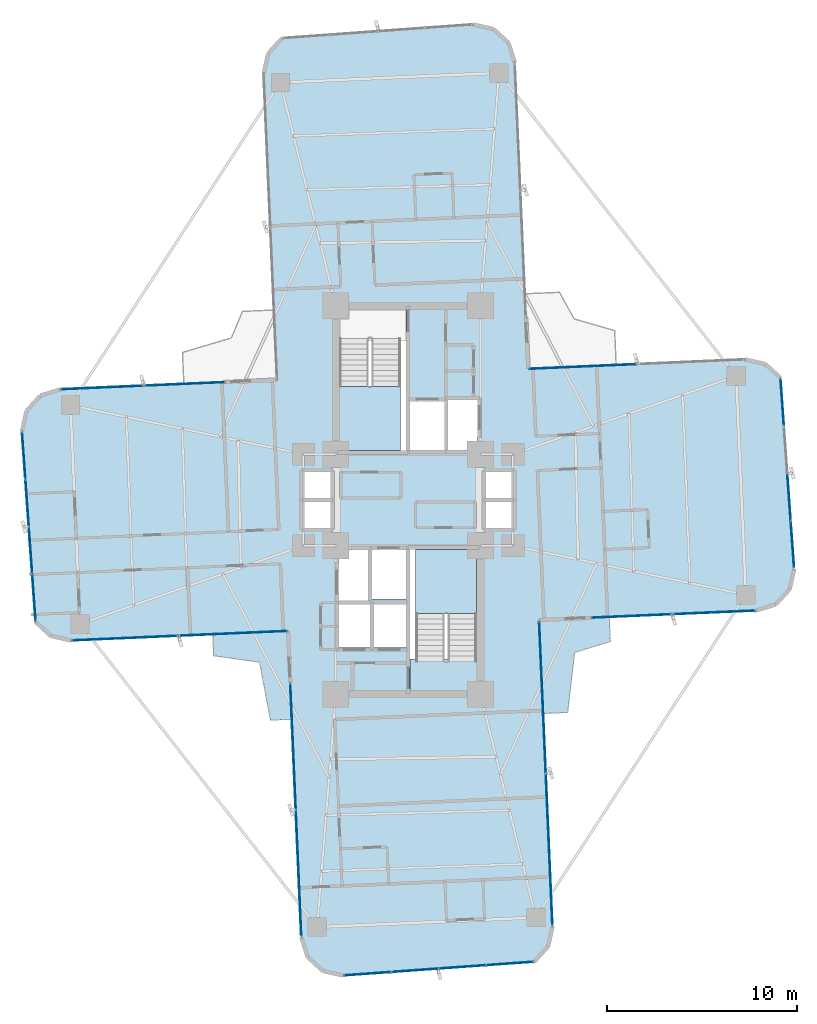
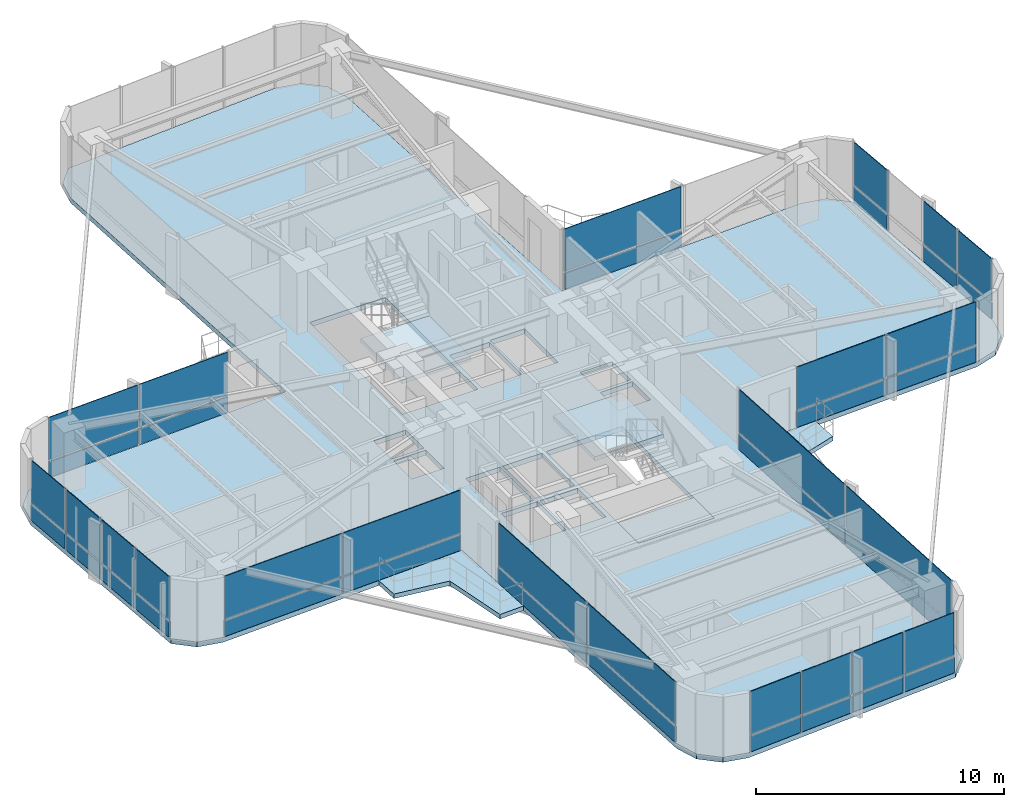
# One storey, part 21 of 26: 44 plates, 6 slabs, 11 elements without a shape of their own.
"""IFC4 building model written with IfcOpenShell, lengths in metres."""

from ifc_helpers import new_model, si_unit, direction, frame, origin, origin_2d, place, context, subcontext, project, spatial, polyline, rectangle, outline, extrude, source, transform, mapped, material, layer, layer_set, type_object, element, aggregate, save


model = new_model("IFC4")

# Units and contexts
model_context = context("Model", 3, precision=1e-05, world=origin(), true_north=direction((0.0, 1.0)))
body_context = subcontext(model_context, "Body", "Model", "MODEL_VIEW")
ifc_project = project(units=[si_unit("LENGTHUNIT", "METRE"), si_unit("AREAUNIT", "SQUARE_METRE"), si_unit("VOLUMEUNIT", "CUBIC_METRE"), si_unit("PLANEANGLEUNIT", "RADIAN"), si_unit("MASSUNIT", "GRAM", prefix="KILO")], contexts=[model_context])

# Site, building, storey
site_placement = place(None, origin())
site = spatial("IfcSite", under=ifc_project, at=site_placement, CompositionType="ELEMENT")
building_placement = place(site_placement, origin())
building = spatial("IfcBuilding", under=site, at=building_placement, Name="Sahyath Konkavel Grand Hotel", CompositionType="ELEMENT")
storey_placement = place(building_placement, frame((0.0, 0.0, 134.89990234375)))
storey = spatial("IfcBuildingStorey", under=building, at=storey_placement, Name="L37", CompositionType="ELEMENT", Elevation=134.89990234375)

# Slabs
ifc_material_1 = material(Name="Concrete C40/50", Category="concrete")
ifc_layer_1 = layer(ifc_material_1, 0.239990234375)
ifc_layer_set_1 = layer_set([ifc_layer_1], Name="Concrete C40/50")
slab_type_1 = type_object("IfcSlabType", Name="SLB-240", PredefinedType="FLOOR", material=ifc_layer_set_1)
slab_1_placement = place(storey_placement, frame((0.0, 0.0, -0.239990234375)))
element("IfcSlab", 1, at=slab_1_placement, inside=storey, type_object=slab_type_1, Name="L37 Structural Floor Slab", PredefinedType="FLOOR", context=body_context, shape_type="SweptSolid", body=[
    extrude(outline(polyline([(6.881591796875, -6.305908203125), (18.270751953125, -5.80859375), (19.3076171875, -5.481689453125), (20.0419921875, -4.68017578125), (20.277099609375, -3.618896484375), (19.5576171875, 6.4091796875), (18.75634765625, 7.1435546875), (17.695068359375, 7.37890625), (6.305908203125, 6.881591796875), (5.603515625, 22.96630859375), (5.276611328125, 24.0029296875), (4.47509765625, 24.7373046875), (3.4140625, 24.97265625), (-6.6142578125, 24.253173828125), (-7.3486328125, 23.451904296875), (-7.583984375, 22.390380859375), (-6.881591796875, 6.305908203125), (-18.270751953125, 5.80859375), (-19.3076171875, 5.481689453125), (-20.0419921875, 4.68017578125), (-20.277099609375, 3.618896484375), (-19.5576171875, -6.4091796875), (-18.75634765625, -7.1435546875), (-17.695068359375, -7.37890625), (-6.305908203125, -6.881591796875), (-5.603515625, -22.96630859375), (-5.276611328125, -24.0029296875), (-4.47509765625, -24.7373046875), (-3.4140625, -24.97265625), (6.6142578125, -24.253173828125), (7.3486328125, -23.451904296875), (7.583984375, -22.390380859375), (6.881591796875, -6.305908203125)]), holes=[polyline([(-3.6201171875, 2.580078125), (-0.10009765625, 2.580078125), (-0.10009765625, 10.02001953125), (-3.6201171875, 10.02001953125), (-3.6201171875, 2.580078125)]), polyline([(0.10009765625, -10.02001953125), (3.6201171875, -10.02001953125), (3.6201171875, -2.580078125), (0.10009765625, -2.580078125), (0.10009765625, -10.02001953125)]), polyline([(0.10009765625, 2.60009765625), (1.949951171875, 2.60009765625), (1.949951171875, 5.199951171875), (0.10009765625, 5.199951171875), (0.10009765625, 2.60009765625)]), polyline([(-1.949951171875, -5.199951171875), (-0.10009765625, -5.199951171875), (-0.10009765625, -2.60009765625), (-1.949951171875, -2.60009765625), (-1.949951171875, -5.199951171875)]), polyline([(2.050048828125, 2.60009765625), (3.64990234375, 2.60009765625), (3.64990234375, 5.300048828125), (2.050048828125, 5.300048828125), (2.050048828125, 2.60009765625)]), polyline([(-3.64990234375, -5.300048828125), (-2.050048828125, -5.300048828125), (-2.050048828125, -2.60009765625), (-3.64990234375, -2.60009765625), (-3.64990234375, -5.300048828125)]), polyline([(-3.64990234375, -7.75), (-1.949951171875, -7.75), (-1.949951171875, -5.449951171875), (-3.64990234375, -5.449951171875), (-3.64990234375, -7.75)]), polyline([(-1.85009765625, -7.75), (-0.10009765625, -7.75), (-0.10009765625, -5.449951171875), (-1.85009765625, -5.449951171875), (-1.85009765625, -7.75)]), polyline([(4.050048828125, 0.080078125), (5.550048828125, 0.080078125), (5.550048828125, 1.5400390625), (4.050048828125, 1.5400390625), (4.050048828125, 0.080078125)]), polyline([(4.050048828125, -1.5400390625), (5.550048828125, -1.5400390625), (5.550048828125, -0.080078125), (4.050048828125, -0.080078125), (4.050048828125, -1.5400390625)]), polyline([(-5.550048828125, 0.080078125), (-4.050048828125, 0.080078125), (-4.050048828125, 1.5400390625), (-5.550048828125, 1.5400390625), (-5.550048828125, 0.080078125)]), polyline([(-5.550048828125, -1.5400390625), (-4.050048828125, -1.5400390625), (-4.050048828125, -0.080078125), (-5.550048828125, -0.080078125), (-5.550048828125, -1.5400390625)])]), origin(), (0.0, 0.0, 1.0), 0.239990234375),
])
ifc_layer_2 = layer(ifc_material_1, 0.219970703125)
ifc_layer_set_2 = layer_set([ifc_layer_2], Name="Concrete C40/50")
slab_type_2 = type_object("IfcSlabType", Name="SLB-BALCONY-220", PredefinedType="FLOOR", material=ifc_layer_set_2)
slab_2_placement = place(storey_placement, frame((0.0, 0.0, -0.219970703125)))
element("IfcSlab", 2, at=slab_2_placement, inside=storey, type_object=slab_type_2, Name="L37 Winter-Garden Balcony SW", PredefinedType="FLOOR", context=body_context, shape_type="SweptSolid", body=[
    extrude(outline(polyline([(-6.305908203125, -6.881591796875), (-10.26513671875, -7.054443359375), (-10.2158203125, -8.182373046875), (-7.803955078125, -8.5166015625), (-7.2314453125, -11.5634765625), (-6.103515625, -11.51416015625), (-6.305908203125, -6.881591796875)])), origin(), (0.0, 0.0, 1.0), 0.219970703125),
])
slab_3_placement = place(storey_placement, frame((0.0, 0.0, -0.219970703125)))
element("IfcSlab", 3, at=slab_3_placement, inside=storey, type_object=slab_type_2, Name="L37 Winter-Garden Balcony SE", PredefinedType="FLOOR", context=body_context, shape_type="SweptSolid", body=[
    extrude(outline(polyline([(6.881591796875, -6.305908203125), (7.095947265625, -11.214111328125), (8.3798828125, -11.158203125), (8.742919921875, -8.01123046875), (10.62109375, -7.428955078125), (10.565185546875, -6.14501953125), (6.881591796875, -6.305908203125)])), origin(), (0.0, 0.0, 1.0), 0.219970703125),
])

# Stair, slab
stair_type = type_object("IfcStairType", Name="STR-ST16-335", PredefinedType="HALF_TURN_STAIR", material=ifc_material_1)
stair_1_placement = place(storey_placement, origin())
stair_1 = element("IfcStair", 4, at=stair_1_placement, inside=storey, type_object=stair_type, Name="L37 North Core Smokeproof Exit Stair ST-1", PredefinedType="HALF_TURN_STAIR")
ifc_layer_3 = layer(ifc_material_1, 0.199951171875)
ifc_layer_set_3 = layer_set([ifc_layer_3], Name="Concrete C40/50")
slab_type_3 = type_object("IfcSlabType", Name="SLB-STAIR-LND", PredefinedType="LANDING", material=ifc_layer_set_3)
slab_4_placement = place(storey_placement, frame((0.0, 0.0, 1.47509765625)))
slab_4 = element("IfcSlab", 5, at=slab_4_placement, type_object=slab_type_3, Name="ST-1 landing 1", PredefinedType="LANDING", context=body_context, shape_type="SweptSolid", body=[
    extrude(outline(polyline([(-3.60009765625, 5.9599609375), (-3.60009765625, 2.60009765625), (-0.39990234375, 2.60009765625), (-0.39990234375, 5.9599609375), (-3.60009765625, 5.9599609375)])), origin(), (0.0, 0.0, 1.0), 0.199951171875),
])
aggregate(stair_1, [slab_4])

stair_2_placement = place(storey_placement, origin())
stair_2 = element("IfcStair", 6, at=stair_2_placement, inside=storey, type_object=stair_type, Name="L37 South Core Smokeproof Exit Stair ST-2", PredefinedType="HALF_TURN_STAIR")
slab_5_placement = place(storey_placement, frame((0.0, 0.0, 1.47509765625)))
slab_5 = element("IfcSlab", 7, at=slab_5_placement, type_object=slab_type_3, Name="ST-2 landing 1", PredefinedType="LANDING", context=body_context, shape_type="SweptSolid", body=[
    extrude(outline(polyline([(3.60009765625, -5.9599609375), (3.60009765625, -2.60009765625), (0.39990234375, -2.60009765625), (0.39990234375, -5.9599609375), (3.60009765625, -5.9599609375)])), origin(), (0.0, 0.0, 1.0), 0.199951171875),
])
aggregate(stair_2, [slab_5])

# Slab
slab_6_placement = place(storey_placement, frame((0.0, 0.0, -0.199951171875)))
element("IfcSlab", 8, at=slab_6_placement, inside=storey, type_object=slab_type_3, Name="L37 Stair ST-2 Floor Landing Slab", PredefinedType="LANDING", context=body_context, shape_type="SweptSolid", body=[
    extrude(outline(polyline([(0.10009765625, -10.02001953125), (3.6201171875, -10.02001953125), (3.6201171875, -8.35009765625), (0.10009765625, -8.35009765625), (0.10009765625, -10.02001953125)])), origin(), (0.0, 0.0, 1.0), 0.199951171875),
])

# Curtain wall, plates
ifc_material_2 = material(Name="Anodised Bronze Aluminium & Low-E Glazing", Category="aluminium")
curtain_wall_type = type_object("IfcCurtainWallType", Name="CW-ZONE2", PredefinedType="NOTDEFINED", material=ifc_material_2)
curtain_wall_1_placement = place(storey_placement, origin())
curtain_wall_1 = element("IfcCurtainWall", 9, at=curtain_wall_1_placement, inside=storey, type_object=curtain_wall_type, Name="L37 Unitised Curtain Wall F0", PredefinedType="NOTDEFINED")
ifc_material_3 = material(Name="Warm Buff Sandstone Cladding", Category="masonry")
ifc_layer_4 = layer(ifc_material_3, 0.074951171875)
ifc_layer_set_4 = layer_set([ifc_layer_4], Name="Warm Buff Sandstone Cladding")
plate_type_1 = type_object("IfcPlateType", Name="PNL-SPANDREL-STONE", PredefinedType="SHEET", material=ifc_layer_set_4)
shared_shape_1 = source(origin(), body_context, "Body", "SweptSolid", [
    extrude(rectangle(XDim=4.22998046875, YDim=0.074951171875, at=origin_2d()), origin(), (0.0, 0.0, 1.0), 0.77001953125),
])
plate_1_placement = place(storey_placement, frame((11.77197265625, -6.09228515625, 0.0400390625), z_axis=(0.0, 0.0, 1.0), x_axis=(0.999048982732, 0.043601950678, 0.0)))
plate_1 = element("IfcPlate", 10, at=plate_1_placement, type_object=plate_type_1, Name="L37 Sandstone Relief Spandrel Panel F0-0", PredefinedType="SHEET", context=body_context, shape_type="MappedRepresentation", body=[
    mapped(shared_shape_1, transform((0.0, 0.0, 0.0), scale=1.0)),
])
plate_2_placement = place(storey_placement, frame((16.077880859375, -5.904296875, 0.0400390625), z_axis=(0.0, 0.0, 1.0), x_axis=(0.999048982732, 0.043601950678, 0.0)))
plate_2 = element("IfcPlate", 11, at=plate_2_placement, type_object=plate_type_1, Name="L37 Sandstone Relief Spandrel Panel F0-1", PredefinedType="SHEET", context=body_context, shape_type="MappedRepresentation", body=[
    mapped(shared_shape_1, transform((0.0, 0.0, 0.0), scale=1.0)),
])

curtain_wall_2_placement = place(storey_placement, origin())
curtain_wall_2 = element("IfcCurtainWall", 12, at=curtain_wall_2_placement, inside=storey, type_object=curtain_wall_type, Name="L37 Unitised Curtain Wall F16", PredefinedType="NOTDEFINED")
plate_3_placement = place(storey_placement, frame((-11.77197265625, 6.09228515625, 0.0400390625), z_axis=(0.0, 0.0, 1.0), x_axis=(-0.999048982732, -0.043601950678, 0.0)))
plate_3 = element("IfcPlate", 13, at=plate_3_placement, type_object=plate_type_1, Name="L37 Sandstone Relief Spandrel Panel F16-0", PredefinedType="SHEET", context=body_context, shape_type="MappedRepresentation", body=[
    mapped(shared_shape_1, transform((0.0, 0.0, 0.0), scale=1.0)),
])
plate_4_placement = place(storey_placement, frame((-16.077880859375, 5.904296875, 0.0400390625), z_axis=(0.0, 0.0, 1.0), x_axis=(-0.999048982732, -0.043601950678, 0.0)))
plate_4 = element("IfcPlate", 14, at=plate_4_placement, type_object=plate_type_1, Name="L37 Sandstone Relief Spandrel Panel F16-1", PredefinedType="SHEET", context=body_context, shape_type="MappedRepresentation", body=[
    mapped(shared_shape_1, transform((0.0, 0.0, 0.0), scale=1.0)),
])

curtain_wall_3_placement = place(storey_placement, origin())
curtain_wall_3 = element("IfcCurtainWall", 15, at=curtain_wall_3_placement, inside=storey, type_object=curtain_wall_type, Name="L37 Unitised Curtain Wall F4", PredefinedType="NOTDEFINED")
shared_shape_2 = source(origin(), body_context, "Body", "SweptSolid", [
    extrude(rectangle(XDim=2.41357421875, YDim=0.074951171875, at=origin_2d()), origin(), (0.0, 0.0, 1.0), 0.77001953125),
])
plate_5_placement = place(storey_placement, frame((20.18505859375, -2.335693359375, 0.0400390625), z_axis=(0.0, 0.0, 1.0), x_axis=(-0.071567078661, 0.997435789037, 0.0)))
plate_5 = element("IfcPlate", 16, at=plate_5_placement, type_object=plate_type_1, Name="L37 Sandstone Relief Spandrel Panel F4-0", PredefinedType="SHEET", context=body_context, shape_type="MappedRepresentation", body=[
    mapped(shared_shape_2, transform((0.0, 0.0, 0.0), scale=1.0)),
])
plate_6_placement = place(storey_placement, frame((20.006591796875, 0.151611328125, 0.0400390625), z_axis=(0.0, 0.0, 1.0), x_axis=(-0.071567078661, 0.997435789037, 0.0)))
plate_6 = element("IfcPlate", 17, at=plate_6_placement, type_object=plate_type_1, Name="L37 Sandstone Relief Spandrel Panel F4-1", PredefinedType="SHEET", context=body_context, shape_type="MappedRepresentation", body=[
    mapped(shared_shape_2, transform((0.0, 0.0, 0.0), scale=1.0)),
])
plate_7_placement = place(storey_placement, frame((19.64990234375, 5.125732421875, 0.0400390625), z_axis=(0.0, 0.0, 1.0), x_axis=(-0.071567078661, 0.997435789037, 0.0)))
plate_7 = element("IfcPlate", 18, at=plate_7_placement, type_object=plate_type_1, Name="L37 Sandstone Relief Spandrel Panel F4-3", PredefinedType="SHEET", context=body_context, shape_type="MappedRepresentation", body=[
    mapped(shared_shape_2, transform((0.0, 0.0, 0.0), scale=1.0)),
])

curtain_wall_4_placement = place(storey_placement, origin())
curtain_wall_4 = element("IfcCurtainWall", 19, at=curtain_wall_4_placement, inside=storey, type_object=curtain_wall_type, Name="L37 Unitised Curtain Wall F20", PredefinedType="NOTDEFINED")
plate_8_placement = place(storey_placement, frame((-20.18505859375, 2.335693359375, 0.0400390625), z_axis=(0.0, 0.0, 1.0), x_axis=(0.071567078661, -0.997435789037, 0.0)))
plate_8 = element("IfcPlate", 20, at=plate_8_placement, type_object=plate_type_1, Name="L37 Sandstone Relief Spandrel Panel F20-0", PredefinedType="SHEET", context=body_context, shape_type="MappedRepresentation", body=[
    mapped(shared_shape_2, transform((0.0, 0.0, 0.0), scale=1.0)),
])
plate_9_placement = place(storey_placement, frame((-20.006591796875, -0.151611328125, 0.0400390625), z_axis=(0.0, 0.0, 1.0), x_axis=(0.071567078661, -0.997435789037, 0.0)))
plate_9 = element("IfcPlate", 21, at=plate_9_placement, type_object=plate_type_1, Name="L37 Sandstone Relief Spandrel Panel F20-1", PredefinedType="SHEET", context=body_context, shape_type="MappedRepresentation", body=[
    mapped(shared_shape_2, transform((0.0, 0.0, 0.0), scale=1.0)),
])
plate_10_placement = place(storey_placement, frame((-19.828369140625, -2.638671875, 0.0400390625), z_axis=(0.0, 0.0, 1.0), x_axis=(0.071567078661, -0.997435789037, 0.0)))
plate_10 = element("IfcPlate", 22, at=plate_10_placement, type_object=plate_type_1, Name="L37 Sandstone Relief Spandrel Panel F20-2", PredefinedType="SHEET", context=body_context, shape_type="MappedRepresentation", body=[
    mapped(shared_shape_2, transform((0.0, 0.0, 0.0), scale=1.0)),
])
plate_11_placement = place(storey_placement, frame((-19.64990234375, -5.125732421875, 0.0400390625), z_axis=(0.0, 0.0, 1.0), x_axis=(0.071567078661, -0.997435789037, 0.0)))
plate_11 = element("IfcPlate", 23, at=plate_11_placement, type_object=plate_type_1, Name="L37 Sandstone Relief Spandrel Panel F20-3", PredefinedType="SHEET", context=body_context, shape_type="MappedRepresentation", body=[
    mapped(shared_shape_2, transform((0.0, 0.0, 0.0), scale=1.0)),
])

curtain_wall_5_placement = place(storey_placement, origin())
curtain_wall_5 = element("IfcCurtainWall", 24, at=curtain_wall_5_placement, inside=storey, type_object=curtain_wall_type, Name="L37 Unitised Curtain Wall F28", PredefinedType="NOTDEFINED")
plate_12_placement = place(storey_placement, frame((-2.130615234375, -24.880615234375, 0.0400390625), z_axis=(0.0, 0.0, 1.0), x_axis=(0.997435789037, 0.071567078661, 0.0)))
plate_12 = element("IfcPlate", 25, at=plate_12_placement, type_object=plate_type_1, Name="L37 Sandstone Relief Spandrel Panel F28-0", PredefinedType="SHEET", context=body_context, shape_type="MappedRepresentation", body=[
    mapped(shared_shape_2, transform((0.0, 0.0, 0.0), scale=1.0)),
])
plate_13_placement = place(storey_placement, frame((0.356689453125, -24.7021484375, 0.0400390625), z_axis=(0.0, 0.0, 1.0), x_axis=(0.997435789037, 0.071567078661, 0.0)))
plate_13 = element("IfcPlate", 26, at=plate_13_placement, type_object=plate_type_1, Name="L37 Sandstone Relief Spandrel Panel F28-1", PredefinedType="SHEET", context=body_context, shape_type="MappedRepresentation", body=[
    mapped(shared_shape_2, transform((0.0, 0.0, 0.0), scale=1.0)),
])
plate_14_placement = place(storey_placement, frame((2.84375, -24.523681640625, 0.0400390625), z_axis=(0.0, 0.0, 1.0), x_axis=(0.997435789037, 0.071567078661, 0.0)))
plate_14 = element("IfcPlate", 27, at=plate_14_placement, type_object=plate_type_1, Name="L37 Sandstone Relief Spandrel Panel F28-2", PredefinedType="SHEET", context=body_context, shape_type="MappedRepresentation", body=[
    mapped(shared_shape_2, transform((0.0, 0.0, 0.0), scale=1.0)),
])
plate_15_placement = place(storey_placement, frame((5.330810546875, -24.34521484375, 0.0400390625), z_axis=(0.0, 0.0, 1.0), x_axis=(0.997435789037, 0.071567078661, 0.0)))
plate_15 = element("IfcPlate", 28, at=plate_15_placement, type_object=plate_type_1, Name="L37 Sandstone Relief Spandrel Panel F28-3", PredefinedType="SHEET", context=body_context, shape_type="MappedRepresentation", body=[
    mapped(shared_shape_2, transform((0.0, 0.0, 0.0), scale=1.0)),
])

# Curtain wall, plate
curtain_wall_6_placement = place(storey_placement, origin())
curtain_wall_6 = element("IfcCurtainWall", 29, at=curtain_wall_6_placement, inside=storey, type_object=curtain_wall_type, Name="L37 Unitised Curtain Wall F7", PredefinedType="NOTDEFINED")
shared_shape_3 = source(origin(), body_context, "Body", "SweptSolid", [
    extrude(rectangle(XDim=5.580078125, YDim=0.074951171875, at=origin_2d()), origin(), (0.0, 0.0, 1.0), 0.77001953125),
])
plate_16_placement = place(storey_placement, frame((9.173095703125, 7.0068359375, 0.0400390625), z_axis=(0.0, 0.0, 1.0), x_axis=(-0.999048221582, -0.043619387365, 0.0)))
plate_16 = element("IfcPlate", 30, at=plate_16_placement, type_object=plate_type_1, Name="L37 Sandstone Relief Spandrel Panel F7-1", PredefinedType="SHEET", context=body_context, shape_type="MappedRepresentation", body=[
    mapped(shared_shape_3, transform((0.0, 0.0, 0.0), scale=1.0)),
])

# Curtain wall, plates
curtain_wall_7_placement = place(storey_placement, origin())
curtain_wall_7 = element("IfcCurtainWall", 31, at=curtain_wall_7_placement, inside=storey, type_object=curtain_wall_type, Name="L37 Unitised Curtain Wall F23", PredefinedType="NOTDEFINED")
plate_17_placement = place(storey_placement, frame((-14.82763671875, -7.25390625, 0.0400390625), z_axis=(0.0, 0.0, 1.0), x_axis=(0.999048221582, 0.043619387365, 0.0)))
plate_17 = element("IfcPlate", 32, at=plate_17_placement, type_object=plate_type_1, Name="L37 Sandstone Relief Spandrel Panel F23-0", PredefinedType="SHEET", context=body_context, shape_type="MappedRepresentation", body=[
    mapped(shared_shape_3, transform((0.0, 0.0, 0.0), scale=1.0)),
])
plate_18_placement = place(storey_placement, frame((-9.173095703125, -7.0068359375, 0.0400390625), z_axis=(0.0, 0.0, 1.0), x_axis=(0.999048221582, 0.043619387365, 0.0)))
plate_18 = element("IfcPlate", 33, at=plate_18_placement, type_object=plate_type_1, Name="L37 Sandstone Relief Spandrel Panel F23-1", PredefinedType="SHEET", context=body_context, shape_type="MappedRepresentation", body=[
    mapped(shared_shape_3, transform((0.0, 0.0, 0.0), scale=1.0)),
])

curtain_wall_8_placement = place(storey_placement, origin())
curtain_wall_8 = element("IfcCurtainWall", 34, at=curtain_wall_8_placement, inside=storey, type_object=curtain_wall_type, Name="L37 Unitised Curtain Wall F24", PredefinedType="NOTDEFINED")
shared_shape_4 = source(origin(), body_context, "Body", "SweptSolid", [
    extrude(rectangle(XDim=6.580078125, YDim=0.074951171875, at=origin_2d()), origin(), (0.0, 0.0, 1.0), 0.77001953125),
])
plate_19_placement = place(storey_placement, frame((-6.041015625, -12.94580078125, 0.0400390625), z_axis=(0.0, 0.0, 1.0), x_axis=(0.043619387365, -0.999048221582, 0.0)))
plate_19 = element("IfcPlate", 35, at=plate_19_placement, type_object=plate_type_1, Name="L37 Sandstone Relief Spandrel Panel F24-0", PredefinedType="SHEET", context=body_context, shape_type="MappedRepresentation", body=[
    mapped(shared_shape_4, transform((0.0, 0.0, 0.0), scale=1.0)),
])
plate_20_placement = place(storey_placement, frame((-5.75048828125, -19.599609375, 0.0400390625), z_axis=(0.0, 0.0, 1.0), x_axis=(0.043619387365, -0.999048221582, 0.0)))
plate_20 = element("IfcPlate", 36, at=plate_20_placement, type_object=plate_type_1, Name="L37 Sandstone Relief Spandrel Panel F24-1", PredefinedType="SHEET", context=body_context, shape_type="MappedRepresentation", body=[
    mapped(shared_shape_4, transform((0.0, 0.0, 0.0), scale=1.0)),
])

curtain_wall_9_placement = place(storey_placement, origin())
curtain_wall_9 = element("IfcCurtainWall", 37, at=curtain_wall_9_placement, inside=storey, type_object=curtain_wall_type, Name="L37 Unitised Curtain Wall F31", PredefinedType="NOTDEFINED")
shared_shape_5 = source(origin(), body_context, "Body", "SweptSolid", [
    extrude(rectangle(XDim=7.929931640625, YDim=0.074951171875, at=origin_2d()), origin(), (0.0, 0.0, 1.0), 0.77001953125),
])
plate_21_placement = place(storey_placement, frame((7.407470703125, -18.349365234375, 0.0400390625), z_axis=(0.0, 0.0, 1.0), x_axis=(-0.043619387365, 0.999048221582, 0.0)))
plate_21 = element("IfcPlate", 38, at=plate_21_placement, type_object=plate_type_1, Name="L37 Sandstone Relief Spandrel Panel F31-0", PredefinedType="SHEET", context=body_context, shape_type="MappedRepresentation", body=[
    mapped(shared_shape_5, transform((0.0, 0.0, 0.0), scale=1.0)),
])
plate_22_placement = place(storey_placement, frame((7.05810546875, -10.346923828125, 0.0400390625), z_axis=(0.0, 0.0, 1.0), x_axis=(-0.043619387365, 0.999048221582, 0.0)))
plate_22 = element("IfcPlate", 39, at=plate_22_placement, type_object=plate_type_1, Name="L37 Sandstone Relief Spandrel Panel F31-1", PredefinedType="SHEET", context=body_context, shape_type="MappedRepresentation", body=[
    mapped(shared_shape_5, transform((0.0, 0.0, 0.0), scale=1.0)),
])

# Plate
ifc_material_4 = material(Name="Low-E Solar Control Double Glazing", Category="glass")
ifc_layer_5 = layer(ifc_material_4, 0.035888671875)
ifc_layer_set_5 = layer_set([ifc_layer_5], Name="Low-E Solar Control Double Glazing")
plate_type_2 = type_object("IfcPlateType", Name="PNL-VISION-LOWE", PredefinedType="CURTAIN_PANEL", material=ifc_layer_set_5)
shared_shape_6 = source(origin(), body_context, "Body", "SweptSolid", [
    extrude(rectangle(XDim=4.22998046875, YDim=0.035888671875, at=origin_2d()), origin(), (0.0, 0.0, 1.0), 2.10009765625),
])
plate_23_placement = place(storey_placement, frame((11.77197265625, -6.09228515625, 0.89013671875), z_axis=(0.0, 0.0, 1.0), x_axis=(0.999048982732, 0.043601950678, 0.0)))
plate_23 = element("IfcPlate", 40, at=plate_23_placement, type_object=plate_type_2, Name="L37 Low-E Vision Glazing Panel F0-0", PredefinedType="CURTAIN_PANEL", context=body_context, shape_type="MappedRepresentation", body=[
    mapped(shared_shape_6, transform((0.0, 0.0, 0.0), scale=1.0)),
])

plate_24_placement = place(storey_placement, frame((16.077880859375, -5.904296875, 0.89013671875), z_axis=(0.0, 0.0, 1.0), x_axis=(0.999048982732, 0.043601950678, 0.0)))
plate_24 = element("IfcPlate", 41, at=plate_24_placement, type_object=plate_type_2, Name="L37 Low-E Vision Glazing Panel F0-1", PredefinedType="CURTAIN_PANEL", context=body_context, shape_type="MappedRepresentation", body=[
    mapped(shared_shape_6, transform((0.0, 0.0, 0.0), scale=1.0)),
])

aggregate(curtain_wall_1, [plate_1, plate_23, plate_2, plate_24])

plate_25_placement = place(storey_placement, frame((-11.77197265625, 6.09228515625, 0.89013671875), z_axis=(0.0, 0.0, 1.0), x_axis=(-0.999048982732, -0.043601950678, 0.0)))
plate_25 = element("IfcPlate", 42, at=plate_25_placement, type_object=plate_type_2, Name="L37 Low-E Vision Glazing Panel F16-0", PredefinedType="CURTAIN_PANEL", context=body_context, shape_type="MappedRepresentation", body=[
    mapped(shared_shape_6, transform((0.0, 0.0, 0.0), scale=1.0)),
])

plate_26_placement = place(storey_placement, frame((-16.077880859375, 5.904296875, 0.89013671875), z_axis=(0.0, 0.0, 1.0), x_axis=(-0.999048982732, -0.043601950678, 0.0)))
plate_26 = element("IfcPlate", 43, at=plate_26_placement, type_object=plate_type_2, Name="L37 Low-E Vision Glazing Panel F16-1", PredefinedType="CURTAIN_PANEL", context=body_context, shape_type="MappedRepresentation", body=[
    mapped(shared_shape_6, transform((0.0, 0.0, 0.0), scale=1.0)),
])

aggregate(curtain_wall_2, [plate_3, plate_25, plate_4, plate_26])

shared_shape_7 = source(origin(), body_context, "Body", "SweptSolid", [
    extrude(rectangle(XDim=2.41357421875, YDim=0.035888671875, at=origin_2d()), origin(), (0.0, 0.0, 1.0), 2.10009765625),
])
plate_27_placement = place(storey_placement, frame((20.18505859375, -2.335693359375, 0.89013671875), z_axis=(0.0, 0.0, 1.0), x_axis=(-0.071567078661, 0.997435789037, 0.0)))
plate_27 = element("IfcPlate", 44, at=plate_27_placement, type_object=plate_type_2, Name="L37 Low-E Vision Glazing Panel F4-0", PredefinedType="CURTAIN_PANEL", context=body_context, shape_type="MappedRepresentation", body=[
    mapped(shared_shape_7, transform((0.0, 0.0, 0.0), scale=1.0)),
])

plate_28_placement = place(storey_placement, frame((20.006591796875, 0.151611328125, 0.89013671875), z_axis=(0.0, 0.0, 1.0), x_axis=(-0.071567078661, 0.997435789037, 0.0)))
plate_28 = element("IfcPlate", 45, at=plate_28_placement, type_object=plate_type_2, Name="L37 Low-E Vision Glazing Panel F4-1", PredefinedType="CURTAIN_PANEL", context=body_context, shape_type="MappedRepresentation", body=[
    mapped(shared_shape_7, transform((0.0, 0.0, 0.0), scale=1.0)),
])

plate_29_placement = place(storey_placement, frame((19.64990234375, 5.125732421875, 0.89013671875), z_axis=(0.0, 0.0, 1.0), x_axis=(-0.071567078661, 0.997435789037, 0.0)))
plate_29 = element("IfcPlate", 46, at=plate_29_placement, type_object=plate_type_2, Name="L37 Low-E Vision Glazing Panel F4-3", PredefinedType="CURTAIN_PANEL", context=body_context, shape_type="MappedRepresentation", body=[
    mapped(shared_shape_7, transform((0.0, 0.0, 0.0), scale=1.0)),
])

aggregate(curtain_wall_3, [plate_5, plate_27, plate_6, plate_28, plate_7, plate_29])

plate_30_placement = place(storey_placement, frame((-20.18505859375, 2.335693359375, 0.89013671875), z_axis=(0.0, 0.0, 1.0), x_axis=(0.071567078661, -0.997435789037, 0.0)))
plate_30 = element("IfcPlate", 47, at=plate_30_placement, type_object=plate_type_2, Name="L37 Low-E Vision Glazing Panel F20-0", PredefinedType="CURTAIN_PANEL", context=body_context, shape_type="MappedRepresentation", body=[
    mapped(shared_shape_7, transform((0.0, 0.0, 0.0), scale=1.0)),
])

plate_31_placement = place(storey_placement, frame((-20.006591796875, -0.151611328125, 0.89013671875), z_axis=(0.0, 0.0, 1.0), x_axis=(0.071567078661, -0.997435789037, 0.0)))
plate_31 = element("IfcPlate", 48, at=plate_31_placement, type_object=plate_type_2, Name="L37 Low-E Vision Glazing Panel F20-1", PredefinedType="CURTAIN_PANEL", context=body_context, shape_type="MappedRepresentation", body=[
    mapped(shared_shape_7, transform((0.0, 0.0, 0.0), scale=1.0)),
])

plate_32_placement = place(storey_placement, frame((-19.828369140625, -2.638671875, 0.89013671875), z_axis=(0.0, 0.0, 1.0), x_axis=(0.071567078661, -0.997435789037, 0.0)))
plate_32 = element("IfcPlate", 49, at=plate_32_placement, type_object=plate_type_2, Name="L37 Low-E Vision Glazing Panel F20-2", PredefinedType="CURTAIN_PANEL", context=body_context, shape_type="MappedRepresentation", body=[
    mapped(shared_shape_7, transform((0.0, 0.0, 0.0), scale=1.0)),
])

plate_33_placement = place(storey_placement, frame((-19.64990234375, -5.125732421875, 0.89013671875), z_axis=(0.0, 0.0, 1.0), x_axis=(0.071567078661, -0.997435789037, 0.0)))
plate_33 = element("IfcPlate", 50, at=plate_33_placement, type_object=plate_type_2, Name="L37 Low-E Vision Glazing Panel F20-3", PredefinedType="CURTAIN_PANEL", context=body_context, shape_type="MappedRepresentation", body=[
    mapped(shared_shape_7, transform((0.0, 0.0, 0.0), scale=1.0)),
])

aggregate(curtain_wall_4, [plate_8, plate_30, plate_9, plate_31, plate_10, plate_32, plate_11, plate_33])

plate_34_placement = place(storey_placement, frame((-2.130615234375, -24.880615234375, 0.89013671875), z_axis=(0.0, 0.0, 1.0), x_axis=(0.997435789037, 0.071567078661, 0.0)))
plate_34 = element("IfcPlate", 51, at=plate_34_placement, type_object=plate_type_2, Name="L37 Low-E Vision Glazing Panel F28-0", PredefinedType="CURTAIN_PANEL", context=body_context, shape_type="MappedRepresentation", body=[
    mapped(shared_shape_7, transform((0.0, 0.0, 0.0), scale=1.0)),
])

plate_35_placement = place(storey_placement, frame((0.356689453125, -24.7021484375, 0.89013671875), z_axis=(0.0, 0.0, 1.0), x_axis=(0.997435789037, 0.071567078661, 0.0)))
plate_35 = element("IfcPlate", 52, at=plate_35_placement, type_object=plate_type_2, Name="L37 Low-E Vision Glazing Panel F28-1", PredefinedType="CURTAIN_PANEL", context=body_context, shape_type="MappedRepresentation", body=[
    mapped(shared_shape_7, transform((0.0, 0.0, 0.0), scale=1.0)),
])

plate_36_placement = place(storey_placement, frame((2.84375, -24.523681640625, 0.89013671875), z_axis=(0.0, 0.0, 1.0), x_axis=(0.997435789037, 0.071567078661, 0.0)))
plate_36 = element("IfcPlate", 53, at=plate_36_placement, type_object=plate_type_2, Name="L37 Low-E Vision Glazing Panel F28-2", PredefinedType="CURTAIN_PANEL", context=body_context, shape_type="MappedRepresentation", body=[
    mapped(shared_shape_7, transform((0.0, 0.0, 0.0), scale=1.0)),
])

plate_37_placement = place(storey_placement, frame((5.330810546875, -24.34521484375, 0.89013671875), z_axis=(0.0, 0.0, 1.0), x_axis=(0.997435789037, 0.071567078661, 0.0)))
plate_37 = element("IfcPlate", 54, at=plate_37_placement, type_object=plate_type_2, Name="L37 Low-E Vision Glazing Panel F28-3", PredefinedType="CURTAIN_PANEL", context=body_context, shape_type="MappedRepresentation", body=[
    mapped(shared_shape_7, transform((0.0, 0.0, 0.0), scale=1.0)),
])

aggregate(curtain_wall_5, [plate_12, plate_34, plate_13, plate_35, plate_14, plate_36, plate_15, plate_37])

shared_shape_8 = source(origin(), body_context, "Body", "SweptSolid", [
    extrude(rectangle(XDim=5.580078125, YDim=0.035888671875, at=origin_2d()), origin(), (0.0, 0.0, 1.0), 2.10009765625),
])
plate_38_placement = place(storey_placement, frame((9.173095703125, 7.0068359375, 0.89013671875), z_axis=(0.0, 0.0, 1.0), x_axis=(-0.999048221582, -0.043619387365, 0.0)))
plate_38 = element("IfcPlate", 55, at=plate_38_placement, type_object=plate_type_2, Name="L37 Low-E Vision Glazing Panel F7-1", PredefinedType="CURTAIN_PANEL", context=body_context, shape_type="MappedRepresentation", body=[
    mapped(shared_shape_8, transform((0.0, 0.0, 0.0), scale=1.0)),
])

aggregate(curtain_wall_6, [plate_16, plate_38])

plate_39_placement = place(storey_placement, frame((-14.82763671875, -7.25390625, 0.89013671875), z_axis=(0.0, 0.0, 1.0), x_axis=(0.999048221582, 0.043619387365, 0.0)))
plate_39 = element("IfcPlate", 56, at=plate_39_placement, type_object=plate_type_2, Name="L37 Low-E Vision Glazing Panel F23-0", PredefinedType="CURTAIN_PANEL", context=body_context, shape_type="MappedRepresentation", body=[
    mapped(shared_shape_8, transform((0.0, 0.0, 0.0), scale=1.0)),
])

plate_40_placement = place(storey_placement, frame((-9.173095703125, -7.0068359375, 0.89013671875), z_axis=(0.0, 0.0, 1.0), x_axis=(0.999048221582, 0.043619387365, 0.0)))
plate_40 = element("IfcPlate", 57, at=plate_40_placement, type_object=plate_type_2, Name="L37 Low-E Vision Glazing Panel F23-1", PredefinedType="CURTAIN_PANEL", context=body_context, shape_type="MappedRepresentation", body=[
    mapped(shared_shape_8, transform((0.0, 0.0, 0.0), scale=1.0)),
])

aggregate(curtain_wall_7, [plate_17, plate_39, plate_18, plate_40])

shared_shape_9 = source(origin(), body_context, "Body", "SweptSolid", [
    extrude(rectangle(XDim=6.580078125, YDim=0.035888671875, at=origin_2d()), origin(), (0.0, 0.0, 1.0), 2.10009765625),
])
plate_41_placement = place(storey_placement, frame((-6.041015625, -12.94580078125, 0.89013671875), z_axis=(0.0, 0.0, 1.0), x_axis=(0.043619387365, -0.999048221582, 0.0)))
plate_41 = element("IfcPlate", 58, at=plate_41_placement, type_object=plate_type_2, Name="L37 Low-E Vision Glazing Panel F24-0", PredefinedType="CURTAIN_PANEL", context=body_context, shape_type="MappedRepresentation", body=[
    mapped(shared_shape_9, transform((0.0, 0.0, 0.0), scale=1.0)),
])

plate_42_placement = place(storey_placement, frame((-5.75048828125, -19.599609375, 0.89013671875), z_axis=(0.0, 0.0, 1.0), x_axis=(0.043619387365, -0.999048221582, 0.0)))
plate_42 = element("IfcPlate", 59, at=plate_42_placement, type_object=plate_type_2, Name="L37 Low-E Vision Glazing Panel F24-1", PredefinedType="CURTAIN_PANEL", context=body_context, shape_type="MappedRepresentation", body=[
    mapped(shared_shape_9, transform((0.0, 0.0, 0.0), scale=1.0)),
])

aggregate(curtain_wall_8, [plate_19, plate_41, plate_20, plate_42])

shared_shape_10 = source(origin(), body_context, "Body", "SweptSolid", [
    extrude(rectangle(XDim=7.929931640625, YDim=0.035888671875, at=origin_2d()), origin(), (0.0, 0.0, 1.0), 2.10009765625),
])
plate_43_placement = place(storey_placement, frame((7.407470703125, -18.349365234375, 0.89013671875), z_axis=(0.0, 0.0, 1.0), x_axis=(-0.043619387365, 0.999048221582, 0.0)))
plate_43 = element("IfcPlate", 60, at=plate_43_placement, type_object=plate_type_2, Name="L37 Low-E Vision Glazing Panel F31-0", PredefinedType="CURTAIN_PANEL", context=body_context, shape_type="MappedRepresentation", body=[
    mapped(shared_shape_10, transform((0.0, 0.0, 0.0), scale=1.0)),
])

plate_44_placement = place(storey_placement, frame((7.05810546875, -10.346923828125, 0.89013671875), z_axis=(0.0, 0.0, 1.0), x_axis=(-0.043619387365, 0.999048221582, 0.0)))
plate_44 = element("IfcPlate", 61, at=plate_44_placement, type_object=plate_type_2, Name="L37 Low-E Vision Glazing Panel F31-1", PredefinedType="CURTAIN_PANEL", context=body_context, shape_type="MappedRepresentation", body=[
    mapped(shared_shape_10, transform((0.0, 0.0, 0.0), scale=1.0)),
])

aggregate(curtain_wall_9, [plate_21, plate_43, plate_22, plate_44])

save(model, "model.ifc")
